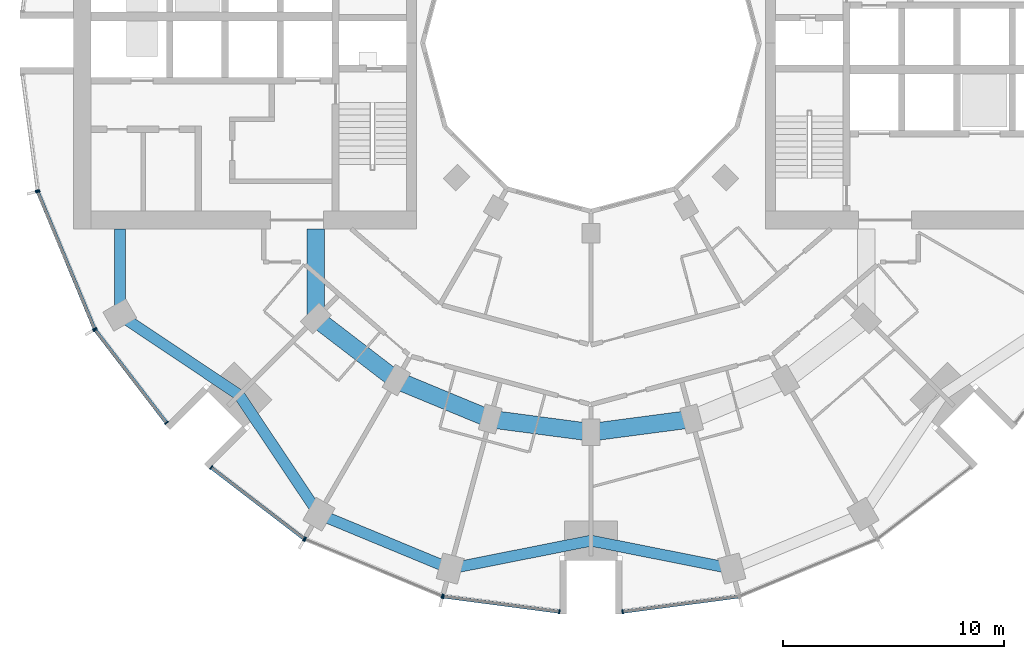
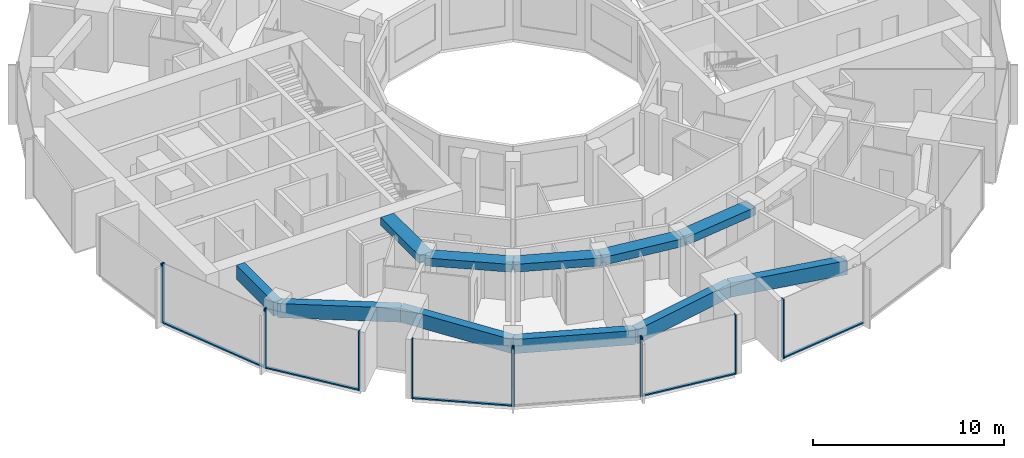
# One storey, part 2 of 15: 17 members, 11 beams, 7 elements without a shape of their own.
"""IFC4 building model written with IfcOpenShell, lengths in metres."""

from ifc_helpers import new_model, si_unit, direction, frame, origin, origin_2d, place, context, subcontext, project, spatial, rectangle, extrude, material, layer, layer_set, material_profile, profile_set, type_object, element, aggregate, save


model = new_model("IFC4")

# Units and contexts
model_context = context("Model", 3, precision=1e-05, world=origin(), true_north=direction((0.0, 1.0)))
body_context = subcontext(model_context, "Body", "Model", "MODEL_VIEW")
ifc_project = project(units=[si_unit("LENGTHUNIT", "METRE"), si_unit("AREAUNIT", "SQUARE_METRE"), si_unit("VOLUMEUNIT", "CUBIC_METRE"), si_unit("PLANEANGLEUNIT", "RADIAN"), si_unit("MASSUNIT", "GRAM", prefix="KILO")], contexts=[model_context])

# Site, building, storey
site_placement = place(None, origin())
site = spatial("IfcSite", under=ifc_project, at=site_placement, CompositionType="ELEMENT")
building_placement = place(site_placement, origin())
building = spatial("IfcBuilding", under=site, at=building_placement, Name="Torre Brocal", CompositionType="ELEMENT")
storey_placement = place(building_placement, frame((0.0, 0.0, 47.800048828125)))
storey = spatial("IfcBuildingStorey", under=building, at=storey_placement, Name="L10", CompositionType="ELEMENT", Elevation=47.800048828125)

# Curtain wall, members
ifc_material_1 = material(Name="Aluminium and glass", Category="aluminium")
ifc_layer_1 = layer(ifc_material_1, 0.199951171875)
ifc_layer_set_1 = layer_set([ifc_layer_1], Name="Aluminium and glass")
curtain_wall_type_1 = type_object("IfcCurtainWallType", Name="CW-1 CURTAIN WALL 3800 HIGH", PredefinedType="NOTDEFINED", material=ifc_layer_set_1)
curtain_wall_1_placement = place(storey_placement, origin())
curtain_wall_1 = element("IfcCurtainWall", 1, at=curtain_wall_1_placement, inside=storey, type_object=curtain_wall_type_1, Name="CW-1 RUN 14", PredefinedType="NOTDEFINED")
ifc_material_2 = material(Name="Aluminium, dark anodised", Category="aluminium")
ifc_material_profile_1 = material_profile(ifc_material_2, rectangle(XDim=0.199951171875, YDim=0.06005859375, at=origin_2d()), Name="CW-1 MULLION 60X200")
ifc_profile_set_1 = profile_set([ifc_material_profile_1], Name="Aluminium, dark anodised")
member_type_1 = type_object("IfcMemberType", Name="CW-1 MULLION 60X200", PredefinedType="MULLION", material=ifc_profile_set_1)
member_1_placement = place(storey_placement, frame((54.994873046875, 68.26904296875, 0.0), z_axis=(0.0, 0.0, 1.0), x_axis=(0.923879532525, 0.382683432333, 0.0)))
member_1 = element("IfcMember", 2, at=member_1_placement, type_object=member_type_1, Name="CW1-1 mullion 1", PredefinedType="MULLION", context=body_context, shape_type="SweptSolid", body=[
    extrude(rectangle(XDim=0.199951171875, YDim=0.06005859375, at=origin_2d()), origin(), (0.0, 0.0, 1.0), 3.800048828125),
])
member_2_placement = place(storey_placement, frame((57.559326171875, 62.078125, 0.0), z_axis=(0.0, 0.0, 1.0), x_axis=(0.923879532525, 0.382683432333, 0.0)))
member_2 = element("IfcMember", 3, at=member_2_placement, type_object=member_type_1, Name="CW1-1 mullion 2", PredefinedType="MULLION", context=body_context, shape_type="SweptSolid", body=[
    extrude(rectangle(XDim=0.199951171875, YDim=0.06005859375, at=origin_2d()), origin(), (0.0, 0.0, 1.0), 3.800048828125),
])

curtain_wall_2_placement = place(storey_placement, origin())
curtain_wall_2 = element("IfcCurtainWall", 4, at=curtain_wall_2_placement, inside=storey, type_object=curtain_wall_type_1, Name="CW-1 RUN 15", PredefinedType="NOTDEFINED")
member_3_placement = place(storey_placement, frame((57.5888671875, 62.026611328125, 0.0), z_axis=(0.0, 0.0, 1.0), x_axis=(0.793353340259, 0.60876142905, 0.0)))
member_3 = element("IfcMember", 5, at=member_3_placement, type_object=member_type_1, Name="CW1-1 mullion 1", PredefinedType="MULLION", context=body_context, shape_type="SweptSolid", body=[
    extrude(rectangle(XDim=0.199951171875, YDim=0.06005859375, at=origin_2d()), origin(), (0.0, 0.0, 1.0), 3.800048828125),
])
member_4_placement = place(storey_placement, frame((60.80859375, 57.83056640625, 0.0), z_axis=(0.0, 0.0, 1.0), x_axis=(0.793353340259, 0.60876142905, 0.0)))
member_4 = element("IfcMember", 6, at=member_4_placement, type_object=member_type_1, Name="CW1-1 mullion 2", PredefinedType="MULLION", context=body_context, shape_type="SweptSolid", body=[
    extrude(rectangle(XDim=0.199951171875, YDim=0.06005859375, at=origin_2d()), origin(), (0.0, 0.0, 1.0), 3.800048828125),
])

curtain_wall_3_placement = place(storey_placement, origin())
curtain_wall_3 = element("IfcCurtainWall", 7, at=curtain_wall_3_placement, inside=storey, type_object=curtain_wall_type_1, Name="CW-1 RUN 16", PredefinedType="NOTDEFINED")
member_5_placement = place(storey_placement, frame((62.83056640625, 55.80859375, 0.0), z_axis=(0.0, 0.0, 1.0), x_axis=(0.60876142905, 0.793353340259, 0.0)))
member_5 = element("IfcMember", 8, at=member_5_placement, type_object=member_type_1, Name="CW1-1 mullion 1", PredefinedType="MULLION", context=body_context, shape_type="SweptSolid", body=[
    extrude(rectangle(XDim=0.199951171875, YDim=0.06005859375, at=origin_2d()), origin(), (0.0, 0.0, 1.0), 3.800048828125),
])
member_6_placement = place(storey_placement, frame((67.026611328125, 52.5888671875, 0.0), z_axis=(0.0, 0.0, 1.0), x_axis=(0.60876142905, 0.793353340259, 0.0)))
member_6 = element("IfcMember", 9, at=member_6_placement, type_object=member_type_1, Name="CW1-1 mullion 2", PredefinedType="MULLION", context=body_context, shape_type="SweptSolid", body=[
    extrude(rectangle(XDim=0.199951171875, YDim=0.06005859375, at=origin_2d()), origin(), (0.0, 0.0, 1.0), 3.800048828125),
])

curtain_wall_4_placement = place(storey_placement, origin())
curtain_wall_4 = element("IfcCurtainWall", 10, at=curtain_wall_4_placement, inside=storey, type_object=curtain_wall_type_1, Name="CW-1 RUN 17", PredefinedType="NOTDEFINED")
member_7_placement = place(storey_placement, frame((67.078125, 52.559326171875, 0.0), z_axis=(0.0, 0.0, 1.0), x_axis=(0.382683432333, 0.923879532525, 0.0)))
member_7 = element("IfcMember", 11, at=member_7_placement, type_object=member_type_1, Name="CW1-1 mullion 1", PredefinedType="MULLION", context=body_context, shape_type="SweptSolid", body=[
    extrude(rectangle(XDim=0.199951171875, YDim=0.06005859375, at=origin_2d()), origin(), (0.0, 0.0, 1.0), 3.800048828125),
])
member_8_placement = place(storey_placement, frame((73.26904296875, 49.994873046875, 0.0), z_axis=(0.0, 0.0, 1.0), x_axis=(0.382683432333, 0.923879532525, 0.0)))
member_8 = element("IfcMember", 12, at=member_8_placement, type_object=member_type_1, Name="CW1-1 mullion 2", PredefinedType="MULLION", context=body_context, shape_type="SweptSolid", body=[
    extrude(rectangle(XDim=0.199951171875, YDim=0.06005859375, at=origin_2d()), origin(), (0.0, 0.0, 1.0), 3.800048828125),
])
aggregate(curtain_wall_4, [member_7, member_8])

curtain_wall_5_placement = place(storey_placement, origin())
curtain_wall_5 = element("IfcCurtainWall", 13, at=curtain_wall_5_placement, inside=storey, type_object=curtain_wall_type_1, Name="CW-1 RUN 18", PredefinedType="NOTDEFINED")
member_9_placement = place(storey_placement, frame((73.32666015625, 49.9794921875, 0.0), z_axis=(0.0, 0.0, 1.0), x_axis=(0.13052619222, 0.991444861374, 0.0)))
member_9 = element("IfcMember", 14, at=member_9_placement, type_object=member_type_1, Name="CW1-1 mullion 1", PredefinedType="MULLION", context=body_context, shape_type="SweptSolid", body=[
    extrude(rectangle(XDim=0.199951171875, YDim=0.06005859375, at=origin_2d()), origin(), (0.0, 0.0, 1.0), 3.800048828125),
])
member_10_placement = place(storey_placement, frame((78.5703125, 49.2890625, 0.0), z_axis=(0.0, 0.0, 1.0), x_axis=(0.13052619222, 0.991444861374, 0.0)))
member_10 = element("IfcMember", 15, at=member_10_placement, type_object=member_type_1, Name="CW1-1 mullion 2", PredefinedType="MULLION", context=body_context, shape_type="SweptSolid", body=[
    extrude(rectangle(XDim=0.199951171875, YDim=0.06005859375, at=origin_2d()), origin(), (0.0, 0.0, 1.0), 3.800048828125),
])

# Curtain wall, member
curtain_wall_6_placement = place(storey_placement, origin())
curtain_wall_6 = element("IfcCurtainWall", 16, at=curtain_wall_6_placement, inside=storey, type_object=curtain_wall_type_1, Name="CW-1 RUN 19", PredefinedType="NOTDEFINED")
member_11_placement = place(storey_placement, frame((81.4296875, 49.2890625, 0.0), z_axis=(0.0, 0.0, 1.0), x_axis=(-0.13052619222, 0.991444861374, 0.0)))
member_11 = element("IfcMember", 17, at=member_11_placement, type_object=member_type_1, Name="CW1-1 mullion 1", PredefinedType="MULLION", context=body_context, shape_type="SweptSolid", body=[
    extrude(rectangle(XDim=0.199951171875, YDim=0.06005859375, at=origin_2d()), origin(), (0.0, 0.0, 1.0), 3.800048828125),
])

# Member
ifc_material_3 = material(Name="Aluminium, dark anodised", Category="aluminium")
ifc_material_profile_2 = material_profile(ifc_material_3, rectangle(XDim=0.159912109375, YDim=0.080078125, at=origin_2d()), Name="CW-1 TRANSOM 160X80")
ifc_profile_set_2 = profile_set([ifc_material_profile_2], Name="Aluminium, dark anodised")
member_type_2 = type_object("IfcMemberType", Name="CW-1 TRANSOM 160X80", PredefinedType="USERDEFINED", material=ifc_profile_set_2)
member_12_placement = place(storey_placement, frame((55.00634765625, 68.241455078125, 0.0400390625), z_axis=(0.38266457234, -0.923887344364, 0.0), x_axis=(0.923887344364, 0.38266457234, 0.0)))
member_12 = element("IfcMember", 18, at=member_12_placement, type_object=member_type_2, Name="CW1-1 transom 1.1", ObjectType="TRANSOM", PredefinedType="USERDEFINED", context=body_context, shape_type="SweptSolid", body=[
    extrude(rectangle(XDim=0.159912109375, YDim=0.080078125, at=origin_2d()), origin(), (0.0, 0.0, 1.0), 6.640869140625),
])

aggregate(curtain_wall_1, [member_1, member_2, member_12])

member_13_placement = place(storey_placement, frame((57.607177734375, 62.0029296875, 0.0400390625), z_axis=(0.60874908096, -0.79336281513, 0.0), x_axis=(0.79336281513, 0.60874908096, 0.0)))
member_13 = element("IfcMember", 19, at=member_13_placement, type_object=member_type_2, Name="CW1-1 transom 1.1", ObjectType="TRANSOM", PredefinedType="USERDEFINED", context=body_context, shape_type="SweptSolid", body=[
    extrude(rectangle(XDim=0.159912109375, YDim=0.080078125, at=origin_2d()), origin(), (0.0, 0.0, 1.0), 5.22900390625),
])

aggregate(curtain_wall_2, [member_3, member_4, member_13])

member_14_placement = place(storey_placement, frame((62.8544921875, 55.790283203125, 0.0400390625), z_axis=(0.79336281513, -0.60874908096, 0.0), x_axis=(0.60874908096, 0.79336281513, 0.0)))
member_14 = element("IfcMember", 20, at=member_14_placement, type_object=member_type_2, Name="CW1-1 transom 1.1", ObjectType="TRANSOM", PredefinedType="USERDEFINED", context=body_context, shape_type="SweptSolid", body=[
    extrude(rectangle(XDim=0.159912109375, YDim=0.080078125, at=origin_2d()), origin(), (0.0, 0.0, 1.0), 5.22900390625),
])

aggregate(curtain_wall_3, [member_5, member_6, member_14])

member_15_placement = place(storey_placement, frame((73.356201171875, 49.9755859375, 0.0400390625), z_axis=(0.991442690863, -0.130542677827, 0.0), x_axis=(0.130542677827, 0.991442690863, 0.0)))
member_15 = element("IfcMember", 21, at=member_15_placement, type_object=member_type_2, Name="CW1-1 transom 1.1", ObjectType="TRANSOM", PredefinedType="USERDEFINED", context=body_context, shape_type="SweptSolid", body=[
    extrude(rectangle(XDim=0.159912109375, YDim=0.080078125, at=origin_2d()), origin(), (0.0, 0.0, 1.0), 5.22900390625),
])

aggregate(curtain_wall_5, [member_9, member_10, member_15])

member_16_placement = place(storey_placement, frame((81.45947265625, 49.29296875, 0.0400390625), z_axis=(0.991442690863, 0.130542677827, 0.0), x_axis=(-0.130542677827, 0.991442690863, 0.0)))
member_16 = element("IfcMember", 22, at=member_16_placement, type_object=member_type_2, Name="CW1-1 transom 1.1", ObjectType="TRANSOM", PredefinedType="USERDEFINED", context=body_context, shape_type="SweptSolid", body=[
    extrude(rectangle(XDim=0.159912109375, YDim=0.080078125, at=origin_2d()), origin(), (0.0, 0.0, 1.0), 5.22900390625),
])

aggregate(curtain_wall_6, [member_11, member_16])

# Curtain wall, member
ifc_material_4 = material(Name="Aluminium and glass", Category="aluminium")
ifc_layer_2 = layer(ifc_material_4, 0.199951171875)
ifc_layer_set_2 = layer_set([ifc_layer_2], Name="Aluminium and glass")
curtain_wall_type_2 = type_object("IfcCurtainWallType", Name="CW-1B CURTAIN WALL 3800 HIGH", PredefinedType="NOTDEFINED", material=ifc_layer_set_2)
curtain_wall_7_placement = place(storey_placement, origin())
curtain_wall_7 = element("IfcCurtainWall", 23, at=curtain_wall_7_placement, inside=storey, type_object=curtain_wall_type_2, Name="CW-1B RUN 13", PredefinedType="NOTDEFINED")
ifc_material_5 = material(Name="Aluminium, dark anodised", Category="aluminium")
ifc_material_profile_3 = material_profile(ifc_material_5, rectangle(XDim=0.199951171875, YDim=0.06005859375, at=origin_2d()), Name="CW-1B MULLION 60X200")
ifc_profile_set_3 = profile_set([ifc_material_profile_3], Name="Aluminium, dark anodised")
member_type_3 = type_object("IfcMemberType", Name="CW-1B MULLION 60X200", PredefinedType="MULLION", material=ifc_profile_set_3)
member_17_placement = place(storey_placement, frame((54.9794921875, 68.32666015625, 0.0), z_axis=(0.0, 0.0, 1.0), x_axis=(0.991444861374, 0.13052619222, 0.0)))
member_17 = element("IfcMember", 24, at=member_17_placement, type_object=member_type_3, Name="CW1B-1 mullion 2", PredefinedType="MULLION", context=body_context, shape_type="SweptSolid", body=[
    extrude(rectangle(XDim=0.199951171875, YDim=0.06005859375, at=origin_2d()), origin(), (0.0, 0.0, 1.0), 3.800048828125),
])
aggregate(curtain_wall_7, [member_17])

# Beams
ifc_material_6 = material(Name="Concrete C50", Category="concrete")
ifc_material_profile_4 = material_profile(ifc_material_6, rectangle(XDim=0.800048828125, YDim=0.5, at=origin_2d()), Name="RC 800X500")
ifc_profile_set_4 = profile_set([ifc_material_profile_4], Name="Concrete C50")
beam_type_1 = type_object("IfcBeamType", Name="RC BEAM 800X500 C50 TOP 3480", PredefinedType="BEAM", material=ifc_profile_set_4)
beam_1_placement = place(storey_placement, frame((67.554931640625, 62.554931640625, 3.22998046875), z_axis=(0.0, 1.0, 0.0), x_axis=(-1.0, 0.0, 0.0)))
element("IfcBeam", 25, at=beam_1_placement, inside=storey, type_object=beam_type_1, Name="Beam BT-19", PredefinedType="BEAM", context=body_context, shape_type="SweptSolid", body=[
    extrude(rectangle(XDim=0.800048828125, YDim=0.5, at=origin_2d()), origin(), (0.0, 0.0, 1.0), 4.045166015625),
])
beam_2_placement = place(storey_placement, frame((67.554931640625, 62.554931640625, 3.22998046875), z_axis=(0.793358265959, -0.6087550097, 0.0), x_axis=(0.6087550097, 0.793358265959, 0.0)))
element("IfcBeam", 26, at=beam_2_placement, inside=storey, type_object=beam_type_1, Name="Beam BT-19", PredefinedType="BEAM", context=body_context, shape_type="SweptSolid", body=[
    extrude(rectangle(XDim=0.800048828125, YDim=0.5, at=origin_2d()), origin(), (0.0, 0.0, 1.0), 4.594482421875),
])
beam_3_placement = place(storey_placement, frame((71.199951171875, 59.758056640625, 3.22998046875), z_axis=(0.923878240166, -0.382686552348, 0.0), x_axis=(0.382686552348, 0.923878240166, 0.0)))
element("IfcBeam", 27, at=beam_3_placement, inside=storey, type_object=beam_type_1, Name="Beam BT-19", PredefinedType="BEAM", context=body_context, shape_type="SweptSolid", body=[
    extrude(rectangle(XDim=0.800048828125, YDim=0.5, at=origin_2d()), origin(), (0.0, 0.0, 1.0), 4.5947265625),
])
for number, where, z_axis, x_axis, name in (
    (28, (75.44482421875, 57.999755859375, 3.22998046875), (0.991440544449, -0.130558978332, 0.0), (0.130558978332, 0.991440544449, 0.0), "Beam BT-19"),
    (29, (80.0, 57.39990234375, 3.22998046875), (0.991440544449, 0.130558978332, 0.0), (-0.130558978332, 0.991440544449, 0.0), "Beam BT-19"),
):
    element("IfcBeam", number, at=place(storey_placement, frame(where, z_axis=z_axis, x_axis=x_axis)), inside=storey, type_object=beam_type_1, Name=name, PredefinedType="BEAM", context=body_context, shape_type="SweptSolid", body=[
        extrude(rectangle(XDim=0.800048828125, YDim=0.5, at=origin_2d()), origin(), (0.0, 0.0, 1.0), 4.594482421875),
    ])
ifc_material_7 = material(Name="Concrete C50", Category="concrete")
ifc_material_profile_5 = material_profile(ifc_material_7, rectangle(XDim=0.5, YDim=0.89990234375, at=origin_2d()), Name="RC 500X900")
ifc_profile_set_5 = profile_set([ifc_material_profile_5], Name="Concrete C50")
beam_type_2 = type_object("IfcBeamType", Name="RC SPANDREL BEAM 500X900 C50 TOP 3480", PredefinedType="SPANDREL", material=ifc_profile_set_5)
beam_4_placement = place(storey_placement, frame((58.69580078125, 62.699951171875, 3.030029296875), z_axis=(0.0, 1.0, 0.0), x_axis=(-1.0, 0.0, 0.0)))
element("IfcBeam", 30, at=beam_4_placement, inside=storey, type_object=beam_type_2, Name="Beam BT-20", PredefinedType="SPANDREL", context=body_context, shape_type="SweptSolid", body=[
    extrude(rectangle(XDim=0.5, YDim=0.89990234375, at=origin_2d()), origin(), (0.0, 0.0, 1.0), 3.900146484375),
])
for number, where, z_axis, x_axis, name in (
    (31, (58.69580078125, 62.699951171875, 3.030029296875), (0.831076844476, -0.556157602282, 0.0), (0.556157602282, 0.831076844476, 0.0), "Beam BT-20"),
    (32, (64.090087890625, 59.090087890625, 3.030029296875), (0.556157602282, -0.831076844476, 0.0), (0.831076844476, 0.556157602282, 0.0), "Beam BT-20"),
):
    element("IfcBeam", number, at=place(storey_placement, frame(where, z_axis=z_axis, x_axis=x_axis)), inside=storey, type_object=beam_type_2, Name=name, PredefinedType="SPANDREL", context=body_context, shape_type="SweptSolid", body=[
        extrude(rectangle(XDim=0.5, YDim=0.89990234375, at=origin_2d()), origin(), (0.0, 0.0, 1.0), 6.49072265625),
    ])
beam_5_placement = place(storey_placement, frame((67.699951171875, 53.69580078125, 3.030029296875), z_axis=(0.923882462513, -0.382676358639, 0.0), x_axis=(0.382676358639, 0.923882462513, 0.0)))
element("IfcBeam", 33, at=beam_5_placement, inside=storey, type_object=beam_type_2, Name="Beam BT-20", PredefinedType="SPANDREL", context=body_context, shape_type="SweptSolid", body=[
    extrude(rectangle(XDim=0.5, YDim=0.89990234375, at=origin_2d()), origin(), (0.0, 0.0, 1.0), 6.421875),
])
for number, where, z_axis, x_axis, name in (
    (34, (73.633056640625, 51.23828125, 3.030029296875), (0.980924907484, 0.194387051723, 0.0), (-0.194387051723, 0.980924907484, 0.0), "Beam BT-20"),
    (35, (80.0, 52.5, 3.030029296875), (0.980924907484, -0.194387051723, 0.0), (0.194387051723, 0.980924907484, 0.0), "Beam BT-20"),
):
    element("IfcBeam", number, at=place(storey_placement, frame(where, z_axis=z_axis, x_axis=x_axis)), inside=storey, type_object=beam_type_2, Name=name, PredefinedType="SPANDREL", context=body_context, shape_type="SweptSolid", body=[
        extrude(rectangle(XDim=0.5, YDim=0.89990234375, at=origin_2d()), origin(), (0.0, 0.0, 1.0), 6.49072265625),
    ])

save(model, "model.ifc")
